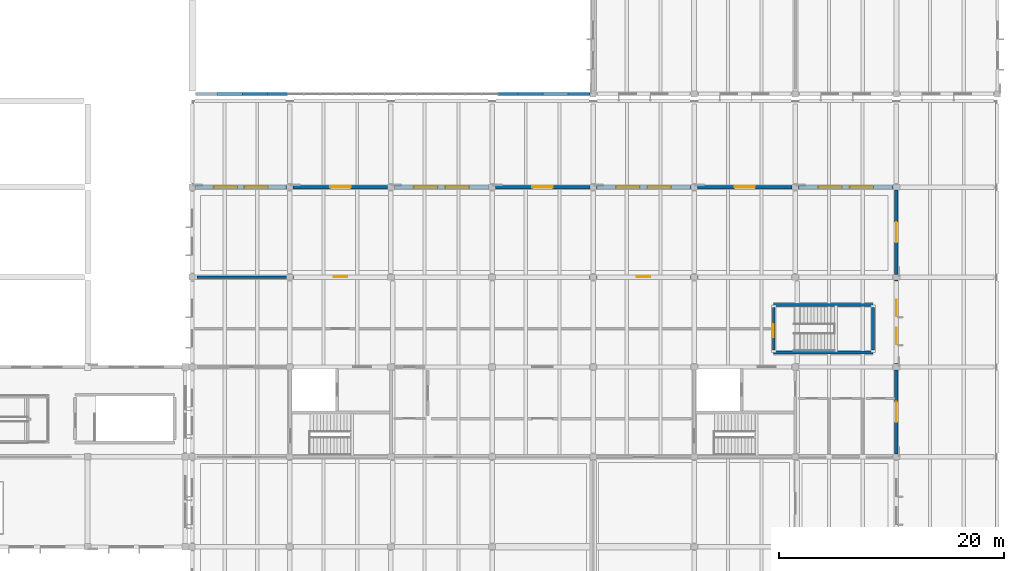
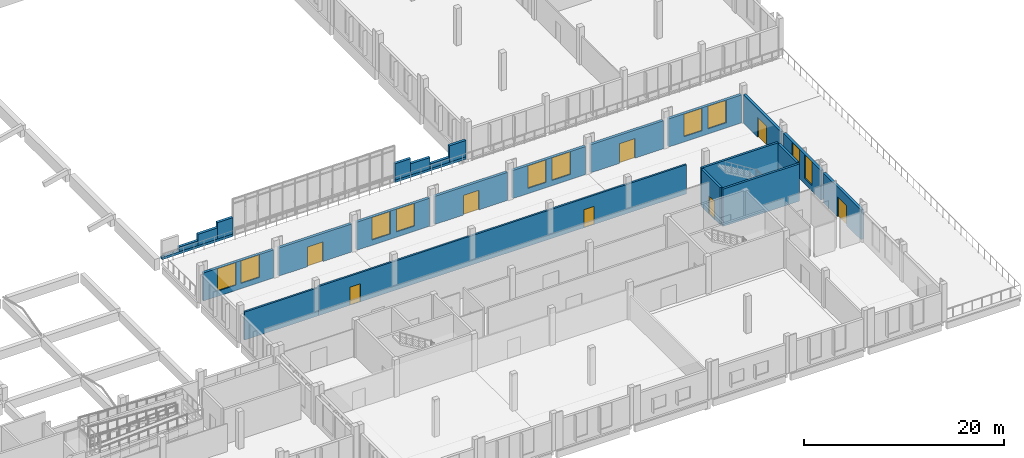
# One storey, part 42 of 63: 25 walls, 10 windows, 8 doors, 18 openings.
"""IFC4 building model written with IfcOpenShell, lengths in metres."""

from ifc_helpers import new_model, si_unit, direction, frame, frame_2d, origin, place, context, subcontext, project, spatial, rectangle, extrude, material, layer, layer_set, type_object, element, fill, save


model = new_model("IFC4")

# Units and contexts
model_context = context("Model", 3, precision=1e-05, world=origin(), true_north=direction((0.0, 1.0)))
body_context = subcontext(model_context, "Body", "Model", "MODEL_VIEW")
ifc_project = project(units=[si_unit("LENGTHUNIT", "METRE"), si_unit("AREAUNIT", "SQUARE_METRE"), si_unit("VOLUMEUNIT", "CUBIC_METRE"), si_unit("PLANEANGLEUNIT", "RADIAN"), si_unit("MASSUNIT", "GRAM", prefix="KILO")], contexts=[model_context])

# Site, building, storey
site_placement = place(None, origin())
site = spatial("IfcSite", under=ifc_project, at=site_placement, CompositionType="ELEMENT")
building_placement = place(site_placement, origin())
building = spatial("IfcBuilding", under=site, at=building_placement, Name="Zacnel Wholesale Market", CompositionType="ELEMENT")
storey_placement = place(building_placement, frame((0.0, 0.0, 11.199951171875)))
storey = spatial("IfcBuildingStorey", under=building, at=storey_placement, Name="L03", CompositionType="ELEMENT", Elevation=11.199951171875)

# Wall
ifc_material_1 = material(Name="PIR insulated cold-store panel")
ifc_layer_1 = layer(ifc_material_1, 0.2099609375)
ifc_layer_set_1 = layer_set([ifc_layer_1], Name="PIR insulated cold-store panel")
wall_type_1 = type_object("IfcWallType", Name="WL-COLD-INT210", PredefinedType="STANDARD", material=ifc_layer_set_1)
wall_1_placement = place(storey_placement, frame((144.75, 32.0, 0.0), z_axis=(0.0, 0.0, 1.0), x_axis=(1.0, 0.0, 0.0)))
element("IfcWall", 1, at=wall_1_placement, inside=storey, type_object=wall_type_1, Name="Interior partition L03-0173", PredefinedType="STANDARD", context=body_context, shape_type="SweptSolid", body=[
    extrude(rectangle(XDim=8.550048828125, YDim=0.2099609375, at=frame_2d((4.27490234375, 0.0))), origin(), (0.0, 0.0, 1.0), 3.429931640625),
])

# Wall, openings, doors
wall_2_placement = place(storey_placement, frame((153.300048828125, 32.0, 0.0), z_axis=(0.0, 0.0, 1.0), x_axis=(1.0, 0.0, 0.0)))
wall_2 = element("IfcWall", 2, at=wall_2_placement, inside=storey, type_object=wall_type_1, Name="Interior partition L03-0173 part 2", PredefinedType="STANDARD", context=body_context, shape_type="SweptSolid", body=[
    extrude(rectangle(XDim=42.449951171875, YDim=0.2099609375, at=frame_2d((21.22509765625, 0.0))), origin(), (0.0, 0.0, 1.0), 3.570068359375),
])
opening_1_placement = place(wall_2_placement, frame((3.60009765625, 0.0, 0.0)))
opening_1 = element("IfcOpeningElement", 3, at=opening_1_placement, cuts=wall_2, Name="Opening FD-01", PredefinedType="OPENING", context=body_context, shape_type="SweptSolid", body=[
    extrude(rectangle(XDim=1.199951171875, YDim=2.199951171875, at=frame_2d((0.60009765625, 1.10009765625))), frame((0.0, 0.114990234375, 0.0), z_axis=(0.0, -1.0, 0.0), x_axis=(1.0, 0.0, 0.0)), (0.0, 0.0, 1.0), 0.22998046875),
])
opening_2_placement = place(wall_2_placement, frame((30.60009765625, 0.0, 0.0)))
opening_2 = element("IfcOpeningElement", 4, at=opening_2_placement, cuts=wall_2, Name="Opening FD-01", PredefinedType="OPENING", context=body_context, shape_type="SweptSolid", body=[
    extrude(rectangle(XDim=1.199951171875, YDim=2.199951171875, at=frame_2d((0.60009765625, 1.10009765625))), frame((0.0, 0.114990234375, 0.0), z_axis=(0.0, -1.0, 0.0), x_axis=(1.0, 0.0, 0.0)), (0.0, 0.0, 1.0), 0.22998046875),
])
ifc_material_2 = material(Name="Galvanized steel", Category="steel")
door_type_1 = type_object("IfcDoorType", Name="DR-FIRE-STAIR-1200", OperationType="NOTDEFINED", PredefinedType="DOOR", material=ifc_material_2)
door_1_placement = place(opening_1_placement, origin())
door_1 = element("IfcDoor", 5, at=door_1_placement, inside=storey, type_object=door_type_1, Name="Traders' Office North Wing corridor fire door 01", OperationType="SINGLE_SWING_LEFT", OverallHeight=2.199951171875, OverallWidth=1.199951171875, PredefinedType="DOOR", context=body_context, shape_type="SweptSolid", body=[
    extrude(rectangle(XDim=1.199951171875, YDim=2.199951171875, at=frame_2d((0.60009765625, 1.10009765625))), frame((0.0, 0.02490234375, 0.0), z_axis=(0.0, -1.0, 0.0), x_axis=(1.0, 0.0, 0.0)), (0.0, 0.0, 1.0), 0.050048828125),
])
fill(opening_1, door_1)
door_2_placement = place(opening_2_placement, origin())
door_2 = element("IfcDoor", 6, at=door_2_placement, inside=storey, type_object=door_type_1, Name="Traders' Office North Wing corridor fire door 02", OperationType="SINGLE_SWING_RIGHT", OverallHeight=2.199951171875, OverallWidth=1.199951171875, PredefinedType="DOOR", context=body_context, shape_type="SweptSolid", body=[
    extrude(rectangle(XDim=1.199951171875, YDim=2.199951171875, at=frame_2d((0.60009765625, 1.10009765625))), frame((0.0, 0.02490234375, 0.0), z_axis=(0.0, -1.0, 0.0), x_axis=(1.0, 0.0, 0.0)), (0.0, 0.0, 1.0), 0.050048828125),
])
fill(opening_2, door_2)

# Walls
ifc_material_3 = material(Name="Concrete C40/50", Category="concrete")
ifc_layer_2 = layer(ifc_material_3, 0.25)
ifc_layer_set_2 = layer_set([ifc_layer_2], Name="Concrete C40/50")
wall_type_2 = type_object("IfcWallType", Name="WL-CORE-SW250", PredefinedType="SOLIDWALL", material=ifc_layer_set_2)
for number, where, z_axis, x_axis, name in (
    (7, (196.074951171875, 25.27490234375, 0.0), (0.0, 0.0, 1.0), (1.0, 0.0, 0.0), "Stair ST-26 south enclosure wall L03"),
    (8, (196.074951171875, 29.52490234375, 0.0), (0.0, 0.0, 1.0), (1.0, 0.0, 0.0), "Stair ST-26 north enclosure wall L03"),
):
    element("IfcWall", number, at=place(storey_placement, frame(where, z_axis=z_axis, x_axis=x_axis)), inside=storey, type_object=wall_type_2, Name=name, PredefinedType="SOLIDWALL", context=body_context, shape_type="SweptSolid", body=[
        extrude(rectangle(XDim=8.85009765625, YDim=0.25, at=frame_2d((4.425048828125, 0.0))), origin(), (0.0, 0.0, 1.0), 4.550048828125),
    ])

# Wall, opening, door
wall_3_placement = place(storey_placement, frame((196.074951171875, 25.52490234375, 0.0), z_axis=(0.0, 0.0, 1.0), x_axis=(0.0, 1.0, 0.0)))
wall_3 = element("IfcWall", 9, at=wall_3_placement, inside=storey, type_object=wall_type_2, Name="Stair ST-26 west enclosure wall L03", PredefinedType="SOLIDWALL", context=body_context, shape_type="SweptSolid", body=[
    extrude(rectangle(XDim=3.75, YDim=0.25, at=frame_2d((1.875, 0.0))), origin(), (0.0, 0.0, 1.0), 4.550048828125),
])
opening_3_placement = place(wall_3_placement, frame((1.10009765625, 0.0, 0.0)))
opening_3 = element("IfcOpeningElement", 10, at=opening_3_placement, cuts=wall_3, Name="Opening FD-01", PredefinedType="OPENING", context=body_context, shape_type="SweptSolid", body=[
    extrude(rectangle(XDim=1.199951171875, YDim=2.199951171875, at=frame_2d((0.60009765625, 1.10009765625))), frame((0.0, 0.135009765625, 0.0), z_axis=(0.0, -1.0, 0.0), x_axis=(1.0, 0.0, 0.0)), (0.0, 0.0, 1.0), 0.27001953125),
])
door_3_placement = place(opening_3_placement, origin())
door_3 = element("IfcDoor", 11, at=door_3_placement, inside=storey, type_object=door_type_1, Name="Stair ST-26 fire door L03", OperationType="SINGLE_SWING_RIGHT", OverallHeight=2.199951171875, OverallWidth=1.199951171875, PredefinedType="DOOR", context=body_context, shape_type="SweptSolid", body=[
    extrude(rectangle(XDim=1.199951171875, YDim=2.199951171875, at=frame_2d((0.60009765625, 1.10009765625))), frame((0.0, 0.02490234375, 0.0), z_axis=(0.0, -1.0, 0.0), x_axis=(1.0, 0.0, 0.0)), (0.0, 0.0, 1.0), 0.050048828125),
])
fill(opening_3, door_3)

# Wall
wall_4_placement = place(storey_placement, frame((204.925048828125, 25.52490234375, 0.0), z_axis=(0.0, 0.0, 1.0), x_axis=(0.0, 1.0, 0.0)))
element("IfcWall", 12, at=wall_4_placement, inside=storey, type_object=wall_type_2, Name="Stair ST-26 east enclosure wall L03", PredefinedType="SOLIDWALL", context=body_context, shape_type="SweptSolid", body=[
    extrude(rectangle(XDim=3.75, YDim=0.25, at=frame_2d((1.875, 0.0))), origin(), (0.0, 0.0, 1.0), 4.550048828125),
])

# Wall, openings, windows
ifc_material_4 = material(Name="Precast concrete C40/50 (Cancun limestone aggregate)", Category="masonry")
ifc_layer_3 = layer(ifc_material_4, 0.300048828125)
ifc_layer_set_3 = layer_set([ifc_layer_3], Name="Precast concrete C40/50 (Cancun limestone aggregate)")
wall_type_3 = type_object("IfcWallType", Name="WL-EXT-LIME-300", PredefinedType="SOLIDWALL", material=ifc_layer_set_3)
wall_5_placement = place(storey_placement, frame((144.574951171875, 40.0, 0.0), z_axis=(0.0, 0.0, 1.0), x_axis=(1.0, 0.0, 0.0)))
wall_5 = element("IfcWall", 13, at=wall_5_placement, inside=storey, type_object=wall_type_3, Name="Exterior wall L03-0384", PredefinedType="SOLIDWALL", context=body_context, shape_type="SweptSolid", body=[
    extrude(rectangle(XDim=8.125, YDim=0.300048828125, at=frame_2d((4.0625, 0.0))), origin(), (0.0, 0.0, 1.0), 3.429931640625),
])
opening_4_placement = place(wall_5_placement, frame((1.657958984375, 0.0, 0.639892578125)))
opening_4 = element("IfcOpeningElement", 14, at=opening_4_placement, cuts=wall_5, Name="Opening W-05", PredefinedType="OPENING", context=body_context, shape_type="SweptSolid", body=[
    extrude(rectangle(XDim=2.10009765625, YDim=2.75, at=frame_2d((1.050048828125, 1.375))), frame((0.0, 0.159912109375, 0.0), z_axis=(0.0, -1.0, 0.0), x_axis=(1.0, 0.0, 0.0)), (0.0, 0.0, 1.0), 0.320068359375),
])
opening_5_placement = place(wall_5_placement, frame((4.366943359375, 0.0, 0.639892578125)))
opening_5 = element("IfcOpeningElement", 15, at=opening_5_placement, cuts=wall_5, Name="Opening W-05", PredefinedType="OPENING", context=body_context, shape_type="SweptSolid", body=[
    extrude(rectangle(XDim=2.10009765625, YDim=2.75, at=frame_2d((1.050048828125, 1.375))), frame((0.0, 0.159912109375, 0.0), z_axis=(0.0, -1.0, 0.0), x_axis=(1.0, 0.0, 0.0)), (0.0, 0.0, 1.0), 0.320068359375),
])
ifc_material_5 = material(Name="Laminated hurricane-impact low-E insulated glass", Category="glass")
window_type_1 = type_object("IfcWindowType", Name="WIN-LAB-2100X2750", PartitioningType="DOUBLE_PANEL_VERTICAL", PredefinedType="WINDOW", material=ifc_material_5)
window_1_placement = place(opening_4_placement, origin())
window_1 = element("IfcWindow", 16, at=window_1_placement, inside=storey, type_object=window_type_1, Name="Window L03-0399", OverallHeight=2.75, OverallWidth=2.10009765625, PartitioningType="DOUBLE_PANEL_VERTICAL", PredefinedType="WINDOW", context=body_context, shape_type="SweptSolid", body=[
    extrude(rectangle(XDim=2.10009765625, YDim=2.75, at=frame_2d((1.050048828125, 1.375))), frame((0.0, 0.030029296875, 0.0), z_axis=(0.0, -1.0, 0.0), x_axis=(1.0, 0.0, 0.0)), (0.0, 0.0, 1.0), 0.06005859375),
])
fill(opening_4, window_1)
window_2_placement = place(opening_5_placement, origin())
window_2 = element("IfcWindow", 17, at=window_2_placement, inside=storey, type_object=window_type_1, Name="Window L03-0400", OverallHeight=2.75, OverallWidth=2.10009765625, PartitioningType="DOUBLE_PANEL_VERTICAL", PredefinedType="WINDOW", context=body_context, shape_type="SweptSolid", body=[
    extrude(rectangle(XDim=2.10009765625, YDim=2.75, at=frame_2d((1.050048828125, 1.375))), frame((0.0, 0.030029296875, 0.0), z_axis=(0.0, -1.0, 0.0), x_axis=(1.0, 0.0, 0.0)), (0.0, 0.0, 1.0), 0.06005859375),
])
fill(opening_5, window_2)

# Wall, opening, door
wall_6_placement = place(storey_placement, frame((153.300048828125, 40.0, 0.0), z_axis=(0.0, 0.0, 1.0), x_axis=(1.0, 0.0, 0.0)))
wall_6 = element("IfcWall", 18, at=wall_6_placement, inside=storey, type_object=wall_type_3, Name="Exterior wall L03-0385", PredefinedType="SOLIDWALL", context=body_context, shape_type="SweptSolid", body=[
    extrude(rectangle(XDim=8.39990234375, YDim=0.300048828125, at=frame_2d((4.199951171875, 0.0))), origin(), (0.0, 0.0, 1.0), 3.429931640625),
])
opening_6_placement = place(wall_6_placement, frame((3.300048828125, 0.0, 0.0)))
opening_6 = element("IfcOpeningElement", 19, at=opening_6_placement, cuts=wall_6, Name="Opening ED-03", PredefinedType="OPENING", context=body_context, shape_type="SweptSolid", body=[
    extrude(rectangle(XDim=1.800048828125, YDim=2.39990234375, at=frame_2d((0.89990234375, 1.199951171875))), frame((0.0, 0.159912109375, 0.0), z_axis=(0.0, -1.0, 0.0), x_axis=(1.0, 0.0, 0.0)), (0.0, 0.0, 1.0), 0.320068359375),
])
ifc_material_6 = material(Name="Anodised aluminium", Category="aluminium")
door_type_2 = type_object("IfcDoorType", Name="DR-EXT-TERR-1800", OperationType="NOTDEFINED", PredefinedType="DOOR", material=ifc_material_6)
door_4_placement = place(opening_6_placement, origin())
door_4 = element("IfcDoor", 20, at=door_4_placement, inside=storey, type_object=door_type_2, Name="Terrace access door L03-053", OperationType="DOUBLE_DOOR_SINGLE_SWING", OverallHeight=2.39990234375, OverallWidth=1.800048828125, PredefinedType="DOOR", context=body_context, shape_type="SweptSolid", body=[
    extrude(rectangle(XDim=1.800048828125, YDim=2.39990234375, at=frame_2d((0.89990234375, 1.199951171875))), frame((0.0, 0.02490234375, 0.0), z_axis=(0.0, -1.0, 0.0), x_axis=(1.0, 0.0, 0.0)), (0.0, 0.0, 1.0), 0.050048828125),
])
fill(opening_6, door_4)

# Wall, openings, windows
wall_7_placement = place(storey_placement, frame((162.300048828125, 40.0, 0.0), z_axis=(0.0, 0.0, 1.0), x_axis=(1.0, 0.0, 0.0)))
wall_7 = element("IfcWall", 21, at=wall_7_placement, inside=storey, type_object=wall_type_3, Name="Exterior wall L03-0386", PredefinedType="SOLIDWALL", context=body_context, shape_type="SweptSolid", body=[
    extrude(rectangle(XDim=8.39990234375, YDim=0.300048828125, at=frame_2d((4.199951171875, 0.0))), origin(), (0.0, 0.0, 1.0), 3.429931640625),
])
opening_7_placement = place(wall_7_placement, frame((1.75, 0.0, 0.639892578125)))
opening_7 = element("IfcOpeningElement", 22, at=opening_7_placement, cuts=wall_7, Name="Opening W-05", PredefinedType="OPENING", context=body_context, shape_type="SweptSolid", body=[
    extrude(rectangle(XDim=2.10009765625, YDim=2.75, at=frame_2d((1.050048828125, 1.375))), frame((0.0, 0.159912109375, 0.0), z_axis=(0.0, -1.0, 0.0), x_axis=(1.0, 0.0, 0.0)), (0.0, 0.0, 1.0), 0.320068359375),
])
opening_8_placement = place(wall_7_placement, frame((4.550048828125, 0.0, 0.639892578125)))
opening_8 = element("IfcOpeningElement", 23, at=opening_8_placement, cuts=wall_7, Name="Opening W-05", PredefinedType="OPENING", context=body_context, shape_type="SweptSolid", body=[
    extrude(rectangle(XDim=2.10009765625, YDim=2.75, at=frame_2d((1.050048828125, 1.375))), frame((0.0, 0.159912109375, 0.0), z_axis=(0.0, -1.0, 0.0), x_axis=(1.0, 0.0, 0.0)), (0.0, 0.0, 1.0), 0.320068359375),
])
window_3_placement = place(opening_7_placement, origin())
window_3 = element("IfcWindow", 24, at=window_3_placement, inside=storey, type_object=window_type_1, Name="Window L03-0401", OverallHeight=2.75, OverallWidth=2.10009765625, PartitioningType="DOUBLE_PANEL_VERTICAL", PredefinedType="WINDOW", context=body_context, shape_type="SweptSolid", body=[
    extrude(rectangle(XDim=2.10009765625, YDim=2.75, at=frame_2d((1.050048828125, 1.375))), frame((0.0, 0.030029296875, 0.0), z_axis=(0.0, -1.0, 0.0), x_axis=(1.0, 0.0, 0.0)), (0.0, 0.0, 1.0), 0.06005859375),
])
fill(opening_7, window_3)
window_4_placement = place(opening_8_placement, origin())
window_4 = element("IfcWindow", 25, at=window_4_placement, inside=storey, type_object=window_type_1, Name="Window L03-0402", OverallHeight=2.75, OverallWidth=2.10009765625, PartitioningType="DOUBLE_PANEL_VERTICAL", PredefinedType="WINDOW", context=body_context, shape_type="SweptSolid", body=[
    extrude(rectangle(XDim=2.10009765625, YDim=2.75, at=frame_2d((1.050048828125, 1.375))), frame((0.0, 0.030029296875, 0.0), z_axis=(0.0, -1.0, 0.0), x_axis=(1.0, 0.0, 0.0)), (0.0, 0.0, 1.0), 0.06005859375),
])
fill(opening_8, window_4)

# Wall, opening, door
wall_8_placement = place(storey_placement, frame((171.300048828125, 40.0, 0.0), z_axis=(0.0, 0.0, 1.0), x_axis=(1.0, 0.0, 0.0)))
wall_8 = element("IfcWall", 26, at=wall_8_placement, inside=storey, type_object=wall_type_3, Name="Exterior wall L03-0387", PredefinedType="SOLIDWALL", context=body_context, shape_type="SweptSolid", body=[
    extrude(rectangle(XDim=8.39990234375, YDim=0.300048828125, at=frame_2d((4.199951171875, 0.0))), origin(), (0.0, 0.0, 1.0), 3.429931640625),
])
opening_9_placement = place(wall_8_placement, frame((3.300048828125, 0.0, 0.0)))
opening_9 = element("IfcOpeningElement", 27, at=opening_9_placement, cuts=wall_8, Name="Opening ED-03", PredefinedType="OPENING", context=body_context, shape_type="SweptSolid", body=[
    extrude(rectangle(XDim=1.800048828125, YDim=2.39990234375, at=frame_2d((0.89990234375, 1.199951171875))), frame((0.0, 0.159912109375, 0.0), z_axis=(0.0, -1.0, 0.0), x_axis=(1.0, 0.0, 0.0)), (0.0, 0.0, 1.0), 0.320068359375),
])
door_5_placement = place(opening_9_placement, origin())
door_5 = element("IfcDoor", 28, at=door_5_placement, inside=storey, type_object=door_type_2, Name="Terrace access door L03-054", OperationType="DOUBLE_DOOR_SINGLE_SWING", OverallHeight=2.39990234375, OverallWidth=1.800048828125, PredefinedType="DOOR", context=body_context, shape_type="SweptSolid", body=[
    extrude(rectangle(XDim=1.800048828125, YDim=2.39990234375, at=frame_2d((0.89990234375, 1.199951171875))), frame((0.0, 0.02490234375, 0.0), z_axis=(0.0, -1.0, 0.0), x_axis=(1.0, 0.0, 0.0)), (0.0, 0.0, 1.0), 0.050048828125),
])
fill(opening_9, door_5)

# Wall, openings, windows
wall_9_placement = place(storey_placement, frame((180.300048828125, 40.0, 0.0), z_axis=(0.0, 0.0, 1.0), x_axis=(1.0, 0.0, 0.0)))
wall_9 = element("IfcWall", 29, at=wall_9_placement, inside=storey, type_object=wall_type_3, Name="Exterior wall L03-0388", PredefinedType="SOLIDWALL", context=body_context, shape_type="SweptSolid", body=[
    extrude(rectangle(XDim=8.39990234375, YDim=0.300048828125, at=frame_2d((4.199951171875, 0.0))), origin(), (0.0, 0.0, 1.0), 3.429931640625),
])
opening_10_placement = place(wall_9_placement, frame((1.75, 0.0, 0.639892578125)))
opening_10 = element("IfcOpeningElement", 30, at=opening_10_placement, cuts=wall_9, Name="Opening W-05", PredefinedType="OPENING", context=body_context, shape_type="SweptSolid", body=[
    extrude(rectangle(XDim=2.10009765625, YDim=2.75, at=frame_2d((1.050048828125, 1.375))), frame((0.0, 0.159912109375, 0.0), z_axis=(0.0, -1.0, 0.0), x_axis=(1.0, 0.0, 0.0)), (0.0, 0.0, 1.0), 0.320068359375),
])
opening_11_placement = place(wall_9_placement, frame((4.550048828125, 0.0, 0.639892578125)))
opening_11 = element("IfcOpeningElement", 31, at=opening_11_placement, cuts=wall_9, Name="Opening W-05", PredefinedType="OPENING", context=body_context, shape_type="SweptSolid", body=[
    extrude(rectangle(XDim=2.10009765625, YDim=2.75, at=frame_2d((1.050048828125, 1.375))), frame((0.0, 0.159912109375, 0.0), z_axis=(0.0, -1.0, 0.0), x_axis=(1.0, 0.0, 0.0)), (0.0, 0.0, 1.0), 0.320068359375),
])
window_5_placement = place(opening_10_placement, origin())
window_5 = element("IfcWindow", 32, at=window_5_placement, inside=storey, type_object=window_type_1, Name="Window L03-0403", OverallHeight=2.75, OverallWidth=2.10009765625, PartitioningType="DOUBLE_PANEL_VERTICAL", PredefinedType="WINDOW", context=body_context, shape_type="SweptSolid", body=[
    extrude(rectangle(XDim=2.10009765625, YDim=2.75, at=frame_2d((1.050048828125, 1.375))), frame((0.0, 0.030029296875, 0.0), z_axis=(0.0, -1.0, 0.0), x_axis=(1.0, 0.0, 0.0)), (0.0, 0.0, 1.0), 0.06005859375),
])
fill(opening_10, window_5)
window_6_placement = place(opening_11_placement, origin())
window_6 = element("IfcWindow", 33, at=window_6_placement, inside=storey, type_object=window_type_1, Name="Window L03-0404", OverallHeight=2.75, OverallWidth=2.10009765625, PartitioningType="DOUBLE_PANEL_VERTICAL", PredefinedType="WINDOW", context=body_context, shape_type="SweptSolid", body=[
    extrude(rectangle(XDim=2.10009765625, YDim=2.75, at=frame_2d((1.050048828125, 1.375))), frame((0.0, 0.030029296875, 0.0), z_axis=(0.0, -1.0, 0.0), x_axis=(1.0, 0.0, 0.0)), (0.0, 0.0, 1.0), 0.06005859375),
])
fill(opening_11, window_6)

# Wall, opening, door
wall_10_placement = place(storey_placement, frame((189.300048828125, 40.0, 0.0), z_axis=(0.0, 0.0, 1.0), x_axis=(1.0, 0.0, 0.0)))
wall_10 = element("IfcWall", 34, at=wall_10_placement, inside=storey, type_object=wall_type_3, Name="Exterior wall L03-0389", PredefinedType="SOLIDWALL", context=body_context, shape_type="SweptSolid", body=[
    extrude(rectangle(XDim=8.39990234375, YDim=0.300048828125, at=frame_2d((4.199951171875, 0.0))), origin(), (0.0, 0.0, 1.0), 3.429931640625),
])
opening_12_placement = place(wall_10_placement, frame((3.300048828125, 0.0, 0.0)))
opening_12 = element("IfcOpeningElement", 35, at=opening_12_placement, cuts=wall_10, Name="Opening ED-03", PredefinedType="OPENING", context=body_context, shape_type="SweptSolid", body=[
    extrude(rectangle(XDim=1.800048828125, YDim=2.39990234375, at=frame_2d((0.89990234375, 1.199951171875))), frame((0.0, 0.159912109375, 0.0), z_axis=(0.0, -1.0, 0.0), x_axis=(1.0, 0.0, 0.0)), (0.0, 0.0, 1.0), 0.320068359375),
])
door_6_placement = place(opening_12_placement, origin())
door_6 = element("IfcDoor", 36, at=door_6_placement, inside=storey, type_object=door_type_2, Name="Terrace access door L03-055", OperationType="DOUBLE_DOOR_SINGLE_SWING", OverallHeight=2.39990234375, OverallWidth=1.800048828125, PredefinedType="DOOR", context=body_context, shape_type="SweptSolid", body=[
    extrude(rectangle(XDim=1.800048828125, YDim=2.39990234375, at=frame_2d((0.89990234375, 1.199951171875))), frame((0.0, 0.02490234375, 0.0), z_axis=(0.0, -1.0, 0.0), x_axis=(1.0, 0.0, 0.0)), (0.0, 0.0, 1.0), 0.050048828125),
])
fill(opening_12, door_6)

# Wall, openings, windows
wall_11_placement = place(storey_placement, frame((198.300048828125, 40.0, 0.0), z_axis=(0.0, 0.0, 1.0), x_axis=(1.0, 0.0, 0.0)))
wall_11 = element("IfcWall", 37, at=wall_11_placement, inside=storey, type_object=wall_type_3, Name="Exterior wall L03-0390", PredefinedType="SOLIDWALL", context=body_context, shape_type="SweptSolid", body=[
    extrude(rectangle(XDim=8.39990234375, YDim=0.300048828125, at=frame_2d((4.199951171875, 0.0))), origin(), (0.0, 0.0, 1.0), 3.429931640625),
])
opening_13_placement = place(wall_11_placement, frame((1.75, 0.0, 0.639892578125)))
opening_13 = element("IfcOpeningElement", 38, at=opening_13_placement, cuts=wall_11, Name="Opening W-05", PredefinedType="OPENING", context=body_context, shape_type="SweptSolid", body=[
    extrude(rectangle(XDim=2.10009765625, YDim=2.75, at=frame_2d((1.050048828125, 1.375))), frame((0.0, 0.159912109375, 0.0), z_axis=(0.0, -1.0, 0.0), x_axis=(1.0, 0.0, 0.0)), (0.0, 0.0, 1.0), 0.320068359375),
])
opening_14_placement = place(wall_11_placement, frame((4.550048828125, 0.0, 0.639892578125)))
opening_14 = element("IfcOpeningElement", 39, at=opening_14_placement, cuts=wall_11, Name="Opening W-05", PredefinedType="OPENING", context=body_context, shape_type="SweptSolid", body=[
    extrude(rectangle(XDim=2.10009765625, YDim=2.75, at=frame_2d((1.050048828125, 1.375))), frame((0.0, 0.159912109375, 0.0), z_axis=(0.0, -1.0, 0.0), x_axis=(1.0, 0.0, 0.0)), (0.0, 0.0, 1.0), 0.320068359375),
])
window_7_placement = place(opening_13_placement, origin())
window_7 = element("IfcWindow", 40, at=window_7_placement, inside=storey, type_object=window_type_1, Name="Window L03-0405", OverallHeight=2.75, OverallWidth=2.10009765625, PartitioningType="DOUBLE_PANEL_VERTICAL", PredefinedType="WINDOW", context=body_context, shape_type="SweptSolid", body=[
    extrude(rectangle(XDim=2.10009765625, YDim=2.75, at=frame_2d((1.050048828125, 1.375))), frame((0.0, 0.030029296875, 0.0), z_axis=(0.0, -1.0, 0.0), x_axis=(1.0, 0.0, 0.0)), (0.0, 0.0, 1.0), 0.06005859375),
])
fill(opening_13, window_7)
window_8_placement = place(opening_14_placement, origin())
window_8 = element("IfcWindow", 41, at=window_8_placement, inside=storey, type_object=window_type_1, Name="Window L03-0406", OverallHeight=2.75, OverallWidth=2.10009765625, PartitioningType="DOUBLE_PANEL_VERTICAL", PredefinedType="WINDOW", context=body_context, shape_type="SweptSolid", body=[
    extrude(rectangle(XDim=2.10009765625, YDim=2.75, at=frame_2d((1.050048828125, 1.375))), frame((0.0, 0.030029296875, 0.0), z_axis=(0.0, -1.0, 0.0), x_axis=(1.0, 0.0, 0.0)), (0.0, 0.0, 1.0), 0.06005859375),
])
fill(opening_14, window_8)

# Wall, opening, door
wall_12_placement = place(storey_placement, frame((207.0, 16.25, 0.0), z_axis=(0.0, 0.0, 1.0), x_axis=(0.0, 1.0, 0.0)))
wall_12 = element("IfcWall", 42, at=wall_12_placement, inside=storey, type_object=wall_type_3, Name="Exterior wall L03-0398", PredefinedType="SOLIDWALL", context=body_context, shape_type="SweptSolid", body=[
    extrude(rectangle(XDim=7.5, YDim=0.300048828125, at=frame_2d((3.75, 0.0))), origin(), (0.0, 0.0, 1.0), 3.6201171875),
])
opening_15_placement = place(wall_12_placement, frame((2.85009765625, 0.0, 0.0)))
opening_15 = element("IfcOpeningElement", 43, at=opening_15_placement, cuts=wall_12, Name="Opening ED-03", PredefinedType="OPENING", context=body_context, shape_type="SweptSolid", body=[
    extrude(rectangle(XDim=1.800048828125, YDim=2.39990234375, at=frame_2d((0.89990234375, 1.199951171875))), frame((0.0, 0.159912109375, 0.0), z_axis=(0.0, -1.0, 0.0), x_axis=(1.0, 0.0, 0.0)), (0.0, 0.0, 1.0), 0.320068359375),
])
door_7_placement = place(opening_15_placement, origin())
door_7 = element("IfcDoor", 44, at=door_7_placement, inside=storey, type_object=door_type_2, Name="Terrace access door L03-057", OperationType="DOUBLE_DOOR_SINGLE_SWING", OverallHeight=2.39990234375, OverallWidth=1.800048828125, PredefinedType="DOOR", context=body_context, shape_type="SweptSolid", body=[
    extrude(rectangle(XDim=1.800048828125, YDim=2.39990234375, at=frame_2d((0.89990234375, 1.199951171875))), frame((0.0, 0.02490234375, 0.0), z_axis=(0.0, -1.0, 0.0), x_axis=(1.0, 0.0, 0.0)), (0.0, 0.0, 1.0), 0.050048828125),
])
fill(opening_15, door_7)

# Wall, openings, windows
wall_13_placement = place(storey_placement, frame((207.0, 24.25, 0.0), z_axis=(0.0, 0.0, 1.0), x_axis=(0.0, 1.0, 0.0)))
wall_13 = element("IfcWall", 45, at=wall_13_placement, inside=storey, type_object=wall_type_3, Name="Exterior wall L03-0399", PredefinedType="SOLIDWALL", context=body_context, shape_type="SweptSolid", body=[
    extrude(rectangle(XDim=7.5, YDim=0.300048828125, at=frame_2d((3.75, 0.0))), origin(), (0.0, 0.0, 1.0), 3.6201171875),
])
opening_16_placement = place(wall_13_placement, frame((1.75, 0.0, 0.679931640625)))
opening_16 = element("IfcOpeningElement", 46, at=opening_16_placement, cuts=wall_13, Name="Opening W-04", PredefinedType="OPENING", context=body_context, shape_type="SweptSolid", body=[
    extrude(rectangle(XDim=1.5, YDim=2.89990234375, at=frame_2d((0.75, 1.449951171875))), frame((0.0, 0.159912109375, 0.0), z_axis=(0.0, -1.0, 0.0), x_axis=(1.0, 0.0, 0.0)), (0.0, 0.0, 1.0), 0.320068359375),
])
opening_17_placement = place(wall_13_placement, frame((4.25, 0.0, 0.679931640625)))
opening_17 = element("IfcOpeningElement", 47, at=opening_17_placement, cuts=wall_13, Name="Opening W-04", PredefinedType="OPENING", context=body_context, shape_type="SweptSolid", body=[
    extrude(rectangle(XDim=1.5, YDim=2.89990234375, at=frame_2d((0.75, 1.449951171875))), frame((0.0, 0.159912109375, 0.0), z_axis=(0.0, -1.0, 0.0), x_axis=(1.0, 0.0, 0.0)), (0.0, 0.0, 1.0), 0.320068359375),
])
ifc_material_7 = material(Name="Laminated hurricane-impact low-E insulated glass", Category="glass")
window_type_2 = type_object("IfcWindowType", Name="WIN-DEC-1500X2900", PartitioningType="DOUBLE_PANEL_VERTICAL", PredefinedType="WINDOW", material=ifc_material_7)
window_9_placement = place(opening_16_placement, origin())
window_9 = element("IfcWindow", 48, at=window_9_placement, inside=storey, type_object=window_type_2, Name="Window L03-0419", OverallHeight=2.89990234375, OverallWidth=1.5, PartitioningType="DOUBLE_PANEL_VERTICAL", PredefinedType="WINDOW", context=body_context, shape_type="SweptSolid", body=[
    extrude(rectangle(XDim=1.5, YDim=2.89990234375, at=frame_2d((0.75, 1.449951171875))), frame((0.0, 0.030029296875, 0.0), z_axis=(0.0, -1.0, 0.0), x_axis=(1.0, 0.0, 0.0)), (0.0, 0.0, 1.0), 0.06005859375),
])
fill(opening_16, window_9)
window_10_placement = place(opening_17_placement, origin())
window_10 = element("IfcWindow", 49, at=window_10_placement, inside=storey, type_object=window_type_2, Name="Window L03-0420", OverallHeight=2.89990234375, OverallWidth=1.5, PartitioningType="DOUBLE_PANEL_VERTICAL", PredefinedType="WINDOW", context=body_context, shape_type="SweptSolid", body=[
    extrude(rectangle(XDim=1.5, YDim=2.89990234375, at=frame_2d((0.75, 1.449951171875))), frame((0.0, 0.030029296875, 0.0), z_axis=(0.0, -1.0, 0.0), x_axis=(1.0, 0.0, 0.0)), (0.0, 0.0, 1.0), 0.06005859375),
])
fill(opening_17, window_10)

# Wall, opening, door
wall_14_placement = place(storey_placement, frame((207.0, 32.25, 0.0), z_axis=(0.0, 0.0, 1.0), x_axis=(0.0, 1.0, 0.0)))
wall_14 = element("IfcWall", 50, at=wall_14_placement, inside=storey, type_object=wall_type_3, Name="Exterior wall L03-0400", PredefinedType="SOLIDWALL", context=body_context, shape_type="SweptSolid", body=[
    extrude(rectangle(XDim=7.5, YDim=0.300048828125, at=frame_2d((3.75, 0.0))), origin(), (0.0, 0.0, 1.0), 3.47998046875),
])
opening_18_placement = place(wall_14_placement, frame((2.85009765625, 0.0, 0.0)))
opening_18 = element("IfcOpeningElement", 51, at=opening_18_placement, cuts=wall_14, Name="Opening ED-03", PredefinedType="OPENING", context=body_context, shape_type="SweptSolid", body=[
    extrude(rectangle(XDim=1.800048828125, YDim=2.39990234375, at=frame_2d((0.89990234375, 1.199951171875))), frame((0.0, 0.159912109375, 0.0), z_axis=(0.0, -1.0, 0.0), x_axis=(1.0, 0.0, 0.0)), (0.0, 0.0, 1.0), 0.320068359375),
])
door_8_placement = place(opening_18_placement, origin())
door_8 = element("IfcDoor", 52, at=door_8_placement, inside=storey, type_object=door_type_2, Name="Terrace access door L03-058", OperationType="DOUBLE_DOOR_SINGLE_SWING", OverallHeight=2.39990234375, OverallWidth=1.800048828125, PredefinedType="DOOR", context=body_context, shape_type="SweptSolid", body=[
    extrude(rectangle(XDim=1.800048828125, YDim=2.39990234375, at=frame_2d((0.89990234375, 1.199951171875))), frame((0.0, 0.02490234375, 0.0), z_axis=(0.0, -1.0, 0.0), x_axis=(1.0, 0.0, 0.0)), (0.0, 0.0, 1.0), 0.050048828125),
])
fill(opening_18, door_8)

# Walls
for number, where, z_axis, x_axis, name in (
    (53, (144.60009765625, 48.300048828125, 0.0), (0.0, 0.0, 1.0), (1.0, 0.0, 0.0), "Barrel-shell gable limestone sill course E-S-1"),
    (54, (171.5, 48.300048828125, 0.0), (0.0, 0.0, 1.0), (1.0, 0.0, 0.0), "Barrel-shell gable limestone sill course E-S-2"),
):
    element("IfcWall", number, at=place(storey_placement, frame(where, z_axis=z_axis, x_axis=x_axis)), inside=storey, type_object=wall_type_3, Name=name, PredefinedType="SOLIDWALL", context=body_context, shape_type="SweptSolid", body=[
        extrude(rectangle(XDim=8.199951171875, YDim=0.300048828125, at=frame_2d((4.10009765625, 0.0))), origin(), (0.0, 0.0, 1.0), 0.300048828125),
    ])
wall_15_placement = place(storey_placement, frame((171.5, 48.300048828125, 0.300048828125), z_axis=(0.0, 0.0, 1.0), x_axis=(1.0, 0.0, 0.0)))
element("IfcWall", 55, at=wall_15_placement, inside=storey, type_object=wall_type_3, Name="Barrel-shell gable limestone tympanum E-S-2", PredefinedType="SOLIDWALL", context=body_context, shape_type="SweptSolid", body=[
    extrude(rectangle(XDim=1.806396484375, YDim=0.300048828125, at=frame_2d((0.9033203125, 0.0))), origin(), (0.0, 0.0, 1.0), 2.0),
])
wall_16_placement = place(storey_placement, frame((146.53125, 48.300048828125, 0.300048828125), z_axis=(0.0, 0.0, 1.0), x_axis=(1.0, 0.0, 0.0)))
element("IfcWall", 56, at=wall_16_placement, inside=storey, type_object=wall_type_3, Name="Barrel-shell gable limestone tympanum E-S-1 part 2", PredefinedType="SOLIDWALL", context=body_context, shape_type="SweptSolid", body=[
    extrude(rectangle(XDim=2.231201171875, YDim=0.300048828125, at=frame_2d((1.11572265625, 0.0))), origin(), (0.0, 0.0, 1.0), 0.567626953125),
])
wall_17_placement = place(storey_placement, frame((148.762451171875, 48.300048828125, 0.300048828125), z_axis=(0.0, 0.0, 1.0), x_axis=(1.0, 0.0, 0.0)))
element("IfcWall", 57, at=wall_17_placement, inside=storey, type_object=wall_type_3, Name="Barrel-shell gable limestone tympanum E-S-1 part 3", PredefinedType="SOLIDWALL", context=body_context, shape_type="SweptSolid", body=[
    extrude(rectangle(XDim=2.2314453125, YDim=0.300048828125, at=frame_2d((1.11572265625, 0.0))), origin(), (0.0, 0.0, 1.0), 1.364501953125),
])
wall_18_placement = place(storey_placement, frame((150.993896484375, 48.300048828125, 0.300048828125), z_axis=(0.0, 0.0, 1.0), x_axis=(1.0, 0.0, 0.0)))
element("IfcWall", 58, at=wall_18_placement, inside=storey, type_object=wall_type_3, Name="Barrel-shell gable limestone tympanum E-S-1 part 4", PredefinedType="SOLIDWALL", context=body_context, shape_type="SweptSolid", body=[
    extrude(rectangle(XDim=1.80615234375, YDim=0.300048828125, at=frame_2d((0.903076171875, 0.0))), origin(), (0.0, 0.0, 1.0), 2.0),
])
wall_19_placement = place(storey_placement, frame((173.306396484375, 48.300048828125, 0.300048828125), z_axis=(0.0, 0.0, 1.0), x_axis=(1.0, 0.0, 0.0)))
element("IfcWall", 59, at=wall_19_placement, inside=storey, type_object=wall_type_3, Name="Barrel-shell gable limestone tympanum E-S-2 part 2", PredefinedType="SOLIDWALL", context=body_context, shape_type="SweptSolid", body=[
    extrude(rectangle(XDim=2.231201171875, YDim=0.300048828125, at=frame_2d((1.11572265625, 0.0))), origin(), (0.0, 0.0, 1.0), 1.364501953125),
])
wall_20_placement = place(storey_placement, frame((175.53759765625, 48.300048828125, 0.300048828125), z_axis=(0.0, 0.0, 1.0), x_axis=(1.0, 0.0, 0.0)))
element("IfcWall", 60, at=wall_20_placement, inside=storey, type_object=wall_type_3, Name="Barrel-shell gable limestone tympanum E-S-2 part 3", PredefinedType="SOLIDWALL", context=body_context, shape_type="SweptSolid", body=[
    extrude(rectangle(XDim=2.231201171875, YDim=0.300048828125, at=frame_2d((1.11572265625, 0.0))), origin(), (0.0, 0.0, 1.0), 0.567626953125),
])
wall_21_placement = place(storey_placement, frame((177.768798828125, 48.300048828125, 0.300048828125), z_axis=(0.0, 0.0, 1.0), x_axis=(1.0, 0.0, 0.0)))
element("IfcWall", 61, at=wall_21_placement, inside=storey, type_object=wall_type_3, Name="Barrel-shell gable limestone tympanum E-S-2 part 4", PredefinedType="SOLIDWALL", context=body_context, shape_type="SweptSolid", body=[
    extrude(rectangle(XDim=1.93115234375, YDim=0.300048828125, at=frame_2d((0.965576171875, 0.0))), origin(), (0.0, 0.0, 1.0), 2.0),
])

save(model, "model.ifc")
